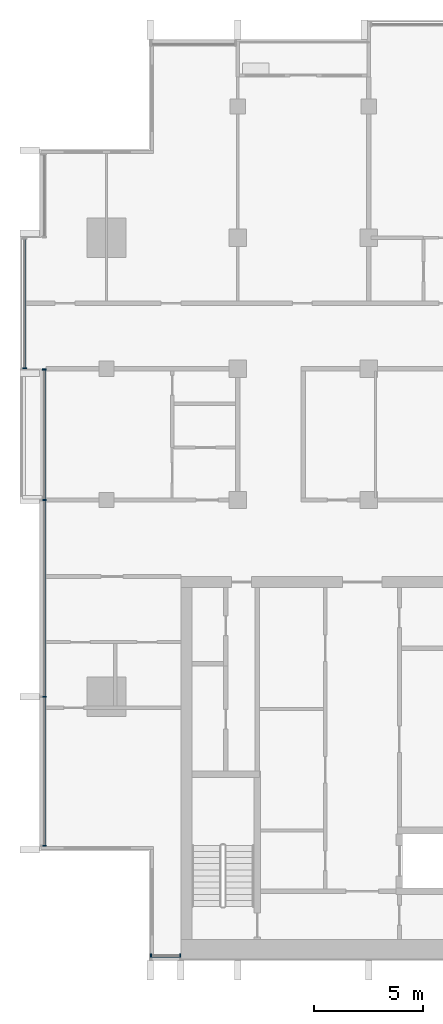
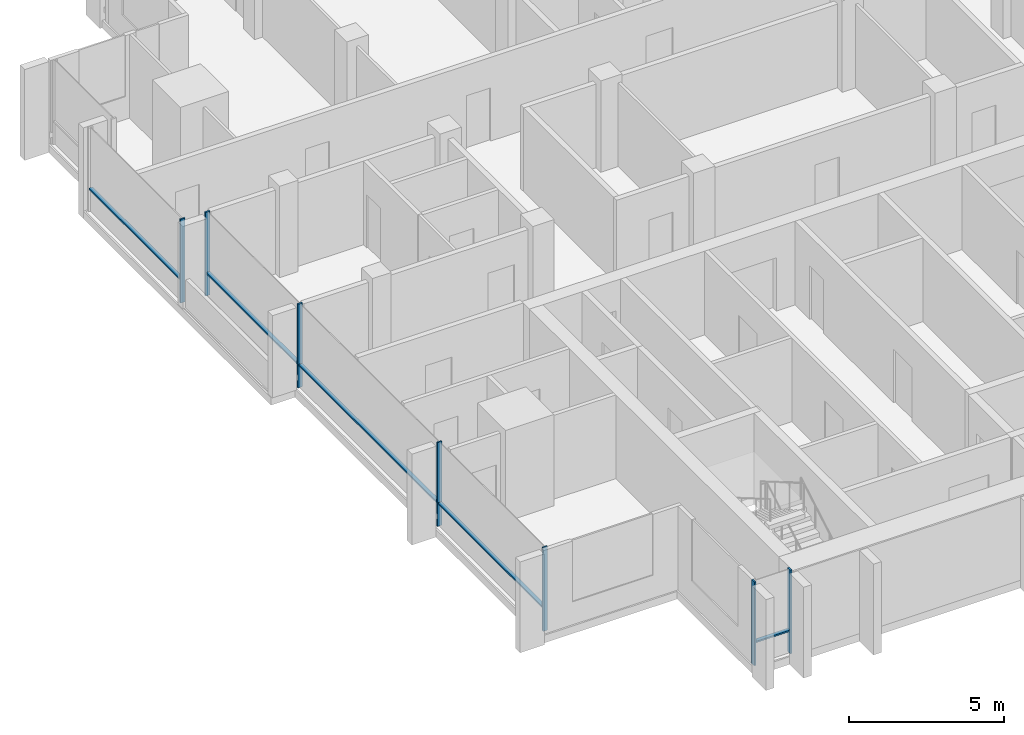
# One storey, part 2 of 16: 12 members, 3 elements without a shape of their own.
"""IFC4 building model written with IfcOpenShell, lengths in metres."""

from ifc_helpers import new_model, si_unit, direction, frame, origin, origin_2d, place, context, subcontext, project, spatial, rectangle, extrude, material, material_profile, profile_set, type_object, element, aggregate, save


model = new_model("IFC4")

# Units and contexts
model_context = context("Model", 3, precision=1e-05, world=origin(), true_north=direction((0.0, 1.0)))
body_context = subcontext(model_context, "Body", "Model", "MODEL_VIEW")
ifc_project = project(units=[si_unit("LENGTHUNIT", "METRE"), si_unit("AREAUNIT", "SQUARE_METRE"), si_unit("VOLUMEUNIT", "CUBIC_METRE"), si_unit("PLANEANGLEUNIT", "RADIAN"), si_unit("MASSUNIT", "GRAM", prefix="KILO")], contexts=[model_context])

# Site, building, storey
site_placement = place(None, origin())
site = spatial("IfcSite", under=ifc_project, at=site_placement, CompositionType="ELEMENT")
building_placement = place(site_placement, origin())
building = spatial("IfcBuilding", under=site, at=building_placement, Name="Finial Court Residences", CompositionType="ELEMENT")
storey_placement = place(building_placement, frame((0.0, 0.0, 259.10009765625)))
storey = spatial("IfcBuildingStorey", under=building, at=storey_placement, Name="L65", CompositionType="ELEMENT", Elevation=259.10009765625)

# Curtain wall, members
ifc_material = material(Name="Bronze anodised aluminium", Category="aluminium")
curtain_wall_type = type_object("IfcCurtainWallType", Name="Unitised curtain wall, upper zones", PredefinedType="NOTDEFINED", material=ifc_material)
curtain_wall_1_placement = place(storey_placement, origin())
curtain_wall_1 = element("IfcCurtainWall", 1, at=curtain_wall_1_placement, inside=storey, type_object=curtain_wall_type, Name="E-L65-CW-S7", PredefinedType="NOTDEFINED")
ifc_material_profile_1 = material_profile(ifc_material, rectangle(XDim=0.175048828125, YDim=0.06005859375, at=origin_2d()), Name="CW2 mullion 60 x 175")
ifc_profile_set_1 = profile_set([ifc_material_profile_1], Name="Bronze anodised aluminium")
member_type_1 = type_object("IfcMemberType", Name="CW2 mullion 60 x 175", PredefinedType="MULLION", material=ifc_profile_set_1)
member_1_placement = place(storey_placement, frame((-14.469970703125, -25.35009765625, 0.0), z_axis=(0.0, 0.0, 1.0), x_axis=(0.0, 1.0, 0.0)))
member_1 = element("IfcMember", 2, at=member_1_placement, type_object=member_type_1, Name="CW2 mullion 1", PredefinedType="MULLION", context=body_context, shape_type="SweptSolid", body=[
    extrude(rectangle(XDim=0.175048828125, YDim=0.06005859375, at=origin_2d()), origin(), (0.0, 0.0, 1.0), 3.2998046875),
])
member_2_placement = place(storey_placement, frame((-13.1298828125, -25.35009765625, 0.0), z_axis=(0.0, 0.0, 1.0), x_axis=(0.0, 1.0, 0.0)))
member_2 = element("IfcMember", 3, at=member_2_placement, type_object=member_type_1, Name="CW2 mullion 2", PredefinedType="MULLION", context=body_context, shape_type="SweptSolid", body=[
    extrude(rectangle(XDim=0.175048828125, YDim=0.06005859375, at=origin_2d()), origin(), (0.0, 0.0, 1.0), 3.2998046875),
])

curtain_wall_2_placement = place(storey_placement, origin())
curtain_wall_2 = element("IfcCurtainWall", 4, at=curtain_wall_2_placement, inside=storey, type_object=curtain_wall_type, Name="E-L65-CW-W9", PredefinedType="NOTDEFINED")
member_3_placement = place(storey_placement, frame((-19.35009765625, -20.320068359375, 0.0), z_axis=(0.0, 0.0, 1.0), x_axis=(-1.0, 0.0, 0.0)))
member_3 = element("IfcMember", 5, at=member_3_placement, type_object=member_type_1, Name="CW2 mullion 1", PredefinedType="MULLION", context=body_context, shape_type="SweptSolid", body=[
    extrude(rectangle(XDim=0.175048828125, YDim=0.06005859375, at=origin_2d()), origin(), (0.0, 0.0, 1.0), 3.2998046875),
])
member_4_placement = place(storey_placement, frame((-19.35009765625, -13.5, 0.0), z_axis=(0.0, 0.0, 1.0), x_axis=(-1.0, 0.0, 0.0)))
member_4 = element("IfcMember", 6, at=member_4_placement, type_object=member_type_1, Name="CW2 mullion 2", PredefinedType="MULLION", context=body_context, shape_type="SweptSolid", body=[
    extrude(rectangle(XDim=0.175048828125, YDim=0.06005859375, at=origin_2d()), origin(), (0.0, 0.0, 1.0), 3.2998046875),
])
member_5_placement = place(storey_placement, frame((-19.35009765625, -4.5, 0.0), z_axis=(0.0, 0.0, 1.0), x_axis=(-1.0, 0.0, 0.0)))
member_5 = element("IfcMember", 7, at=member_5_placement, type_object=member_type_1, Name="CW2 mullion 3", PredefinedType="MULLION", context=body_context, shape_type="SweptSolid", body=[
    extrude(rectangle(XDim=0.175048828125, YDim=0.06005859375, at=origin_2d()), origin(), (0.0, 0.0, 1.0), 3.2998046875),
])
member_6_placement = place(storey_placement, frame((-19.35009765625, 1.469970703125, 0.0), z_axis=(0.0, 0.0, 1.0), x_axis=(-1.0, 0.0, 0.0)))
member_6 = element("IfcMember", 8, at=member_6_placement, type_object=member_type_1, Name="CW2 mullion 4", PredefinedType="MULLION", context=body_context, shape_type="SweptSolid", body=[
    extrude(rectangle(XDim=0.175048828125, YDim=0.06005859375, at=origin_2d()), origin(), (0.0, 0.0, 1.0), 3.2998046875),
])

# Curtain wall, member
curtain_wall_3_placement = place(storey_placement, origin())
curtain_wall_3 = element("IfcCurtainWall", 9, at=curtain_wall_3_placement, inside=storey, type_object=curtain_wall_type, Name="E-L65-CW-W10", PredefinedType="NOTDEFINED")
member_7_placement = place(storey_placement, frame((-20.25, 1.530029296875, 0.0), z_axis=(0.0, 0.0, 1.0), x_axis=(-1.0, 0.0, 0.0)))
member_7 = element("IfcMember", 10, at=member_7_placement, type_object=member_type_1, Name="CW2 mullion 1", PredefinedType="MULLION", context=body_context, shape_type="SweptSolid", body=[
    extrude(rectangle(XDim=0.175048828125, YDim=0.06005859375, at=origin_2d()), origin(), (0.0, 0.0, 1.0), 3.2998046875),
])

# Member
ifc_material_profile_2 = material_profile(ifc_material, rectangle(XDim=0.139892578125, YDim=0.06005859375, at=origin_2d()), Name="CW2 transom 60 x 140")
ifc_profile_set_2 = profile_set([ifc_material_profile_2], Name="Bronze anodised aluminium")
member_type_2 = type_object("IfcMemberType", Name="CW2 transom 60 x 140", PredefinedType="USERDEFINED", material=ifc_profile_set_2)
member_8_placement = place(storey_placement, frame((-14.43994140625, -25.35009765625, 0.89990234375), z_axis=(1.0, 0.0, 0.0), x_axis=(0.0, 1.0, 0.0)))
member_8 = element("IfcMember", 11, at=member_8_placement, type_object=member_type_2, Name="CW2 transom 1.1", ObjectType="TRANSOM", PredefinedType="USERDEFINED", context=body_context, shape_type="SweptSolid", body=[
    extrude(rectangle(XDim=0.139892578125, YDim=0.06005859375, at=origin_2d()), origin(), (0.0, 0.0, 1.0), 1.280029296875),
])

aggregate(curtain_wall_1, [member_1, member_2, member_8])

member_9_placement = place(storey_placement, frame((-19.35009765625, -20.2900390625, 0.89990234375), z_axis=(0.0, 1.0, 0.0), x_axis=(-1.0, 0.0, 0.0)))
member_9 = element("IfcMember", 12, at=member_9_placement, type_object=member_type_2, Name="CW2 transom 1.1", ObjectType="TRANSOM", PredefinedType="USERDEFINED", context=body_context, shape_type="SweptSolid", body=[
    extrude(rectangle(XDim=0.139892578125, YDim=0.06005859375, at=origin_2d()), origin(), (0.0, 0.0, 1.0), 6.760009765625),
])

member_10_placement = place(storey_placement, frame((-19.35009765625, -13.469970703125, 0.89990234375), z_axis=(0.0, 1.0, 0.0), x_axis=(-1.0, 0.0, 0.0)))
member_10 = element("IfcMember", 13, at=member_10_placement, type_object=member_type_2, Name="CW2 transom 2.1", ObjectType="TRANSOM", PredefinedType="USERDEFINED", context=body_context, shape_type="SweptSolid", body=[
    extrude(rectangle(XDim=0.139892578125, YDim=0.06005859375, at=origin_2d()), origin(), (0.0, 0.0, 1.0), 8.93994140625),
])

member_11_placement = place(storey_placement, frame((-19.35009765625, -4.469970703125, 0.89990234375), z_axis=(0.0, 1.0, 0.0), x_axis=(-1.0, 0.0, 0.0)))
member_11 = element("IfcMember", 14, at=member_11_placement, type_object=member_type_2, Name="CW2 transom 3.1", ObjectType="TRANSOM", PredefinedType="USERDEFINED", context=body_context, shape_type="SweptSolid", body=[
    extrude(rectangle(XDim=0.139892578125, YDim=0.06005859375, at=origin_2d()), origin(), (0.0, 0.0, 1.0), 5.909912109375),
])

aggregate(curtain_wall_2, [member_3, member_4, member_5, member_6, member_9, member_10, member_11])

member_12_placement = place(storey_placement, frame((-20.25, 1.56005859375, 0.89990234375), z_axis=(0.0, 1.0, 0.0), x_axis=(-1.0, 0.0, 0.0)))
member_12 = element("IfcMember", 15, at=member_12_placement, type_object=member_type_2, Name="CW2 transom 1.1", ObjectType="TRANSOM", PredefinedType="USERDEFINED", context=body_context, shape_type="SweptSolid", body=[
    extrude(rectangle(XDim=0.139892578125, YDim=0.06005859375, at=origin_2d()), origin(), (0.0, 0.0, 1.0), 5.8798828125),
])

aggregate(curtain_wall_3, [member_7, member_12])

save(model, "model.ifc")
